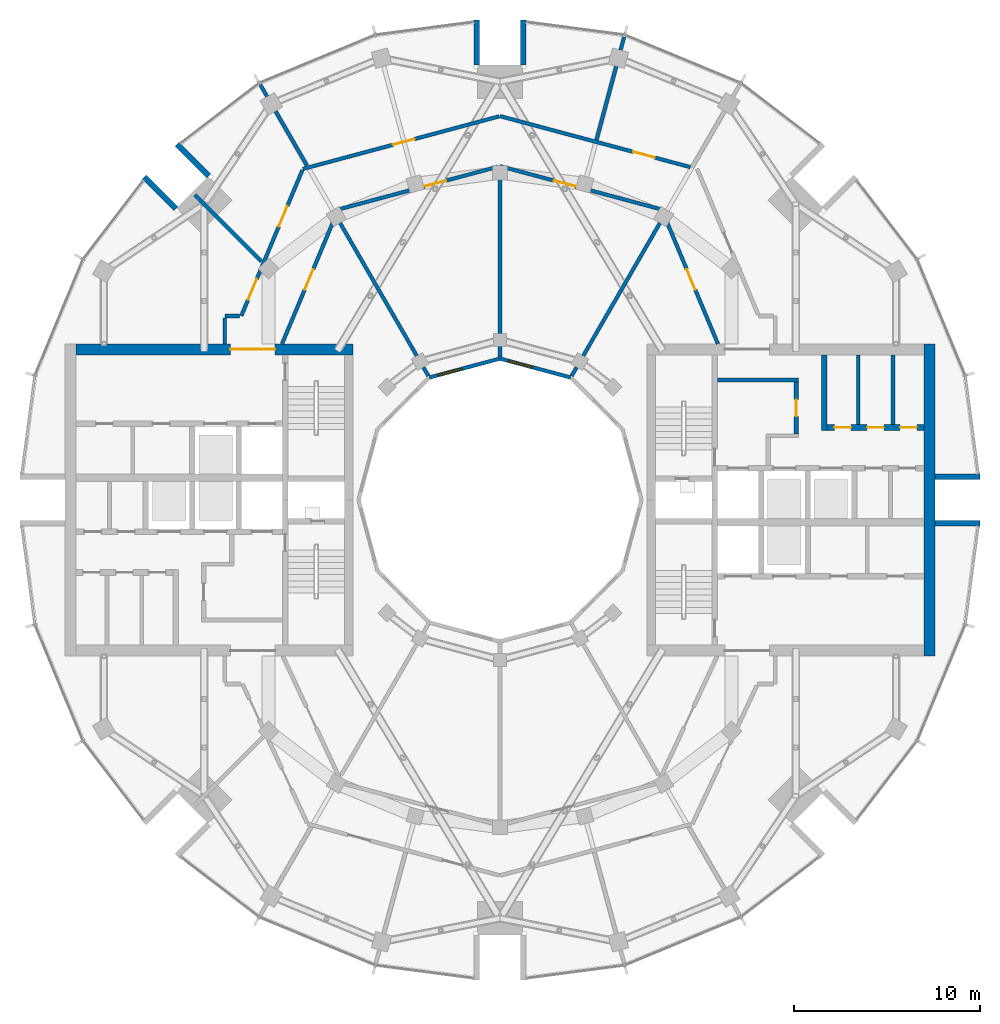
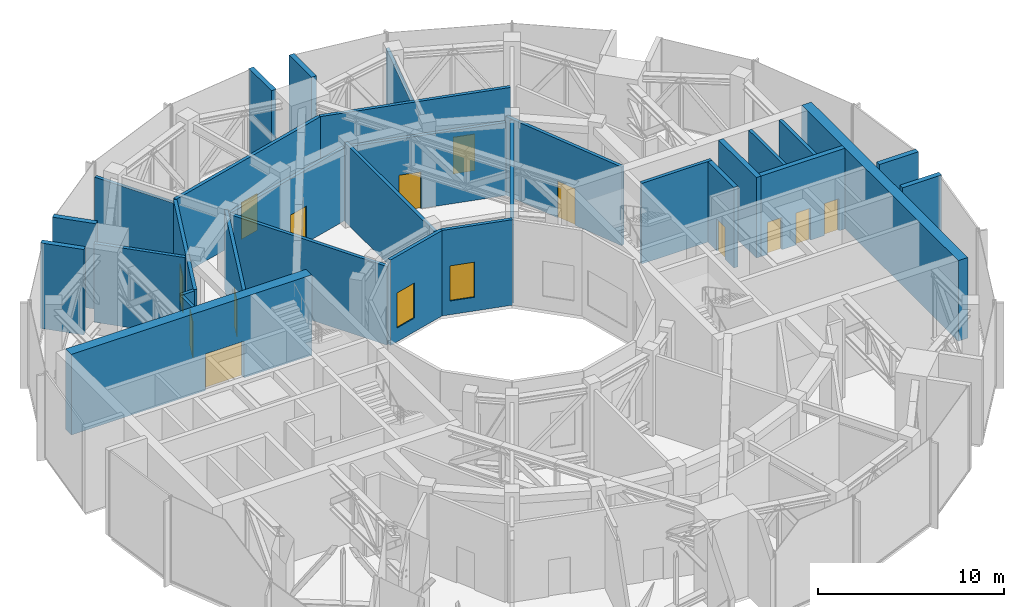
# One storey, part 15 of 18: 31 walls, 13 doors, 2 windows, 15 openings.
"""IFC4 building model written with IfcOpenShell, lengths in metres."""

from ifc_helpers import new_model, si_unit, direction, frame, frame_2d, origin, place, context, subcontext, project, spatial, rectangle, extrude, material, layer, layer_set, type_object, element, fill, save


model = new_model("IFC4")

# Units and contexts
model_context = context("Model", 3, precision=1e-05, world=origin(), true_north=direction((0.0, 1.0)))
body_context = subcontext(model_context, "Body", "Model", "MODEL_VIEW")
ifc_project = project(units=[si_unit("LENGTHUNIT", "METRE"), si_unit("AREAUNIT", "SQUARE_METRE"), si_unit("VOLUMEUNIT", "CUBIC_METRE"), si_unit("PLANEANGLEUNIT", "RADIAN"), si_unit("MASSUNIT", "GRAM", prefix="KILO")], contexts=[model_context])

# Site, building, storey
site_placement = place(None, origin())
site = spatial("IfcSite", under=ifc_project, at=site_placement, CompositionType="ELEMENT")
building_placement = place(site_placement, origin())
building = spatial("IfcBuilding", under=site, at=building_placement, Name="Torre Brocal", CompositionType="ELEMENT")
storey_placement = place(building_placement, frame((0.0, 0.0, 206.89990234375)))
storey = spatial("IfcBuildingStorey", under=building, at=storey_placement, Name="L48", CompositionType="ELEMENT", Elevation=206.89990234375)

# Walls
ifc_material_1 = material(Name="Masonry block", Category="masonry")
ifc_layer_1 = layer(ifc_material_1, 0.199951171875)
ifc_layer_set_1 = layer_set([ifc_layer_1], Name="Masonry block")
wall_type_1 = type_object("IfcWallType", Name="CORE PARTITION 200", PredefinedType="PARTITIONING", material=ifc_layer_set_1)
for number, where, z_axis, x_axis, name in (
    (1, (99.263916015625, 79.050048828125, 0.0), (0.0, 0.0, 1.0), (0.0, 1.0, 0.0), "Wall CP200"),
    (2, (101.135986328125, 79.050048828125, 0.0), (0.0, 0.0, 1.0), (0.0, 1.0, 0.0), "Wall CP200"),
):
    element("IfcWall", number, at=place(storey_placement, frame(where, z_axis=z_axis, x_axis=x_axis)), inside=storey, type_object=wall_type_1, Name=name, PredefinedType="PARTITIONING", context=body_context, shape_type="SweptSolid", body=[
        extrude(rectangle(XDim=3.75, YDim=0.199951171875, at=frame_2d((1.875, 0.0))), origin(), (0.0, 0.0, 1.0), 5.280029296875),
    ])
ifc_material_2 = material(Name="Concrete C60", Category="concrete")
ifc_layer_2 = layer(ifc_material_2, 0.199951171875)
ifc_layer_set_2 = layer_set([ifc_layer_2], Name="Concrete C60")
wall_type_2 = type_object("IfcWallType", Name="CORE WALL 200 C60", PredefinedType="SHEAR", material=ifc_layer_set_2)
wall_1_placement = place(storey_placement, frame((91.699951171875, 81.449951171875, 0.0), z_axis=(0.0, 0.0, 1.0), x_axis=(1.0, 0.0, 0.0)))
element("IfcWall", 3, at=wall_1_placement, inside=storey, type_object=wall_type_2, Name="Wall CW200-60", PredefinedType="SHEAR", context=body_context, shape_type="SweptSolid", body=[
    extrude(rectangle(XDim=4.35009765625, YDim=0.199951171875, at=frame_2d((2.175048828125, 0.0))), origin(), (0.0, 0.0, 1.0), 5.280029296875),
])

# Wall, opening, door
ifc_material_3 = material(Name="Concrete C60", Category="concrete")
ifc_layer_3 = layer(ifc_material_3, 0.25)
ifc_layer_set_3 = layer_set([ifc_layer_3], Name="Concrete C60")
wall_type_3 = type_object("IfcWallType", Name="CORE WALL 250 C60", PredefinedType="SHEAR", material=ifc_layer_set_3)
wall_2_placement = place(storey_placement, frame((95.925048828125, 78.550048828125, 0.0), z_axis=(0.0, 0.0, 1.0), x_axis=(0.0, 1.0, 0.0)))
wall_2 = element("IfcWall", 4, at=wall_2_placement, inside=storey, type_object=wall_type_3, Name="Wall CW250-60", PredefinedType="SHEAR", context=body_context, shape_type="SweptSolid", body=[
    extrude(rectangle(XDim=2.800048828125, YDim=0.25, at=frame_2d((1.39990234375, 0.0))), origin(), (0.0, 0.0, 1.0), 5.280029296875),
])
opening_1_placement = place(wall_2_placement, frame((0.949951171875, 0.0, 0.0)))
opening_1 = element("IfcOpeningElement", 5, at=opening_1_placement, cuts=wall_2, Name="Opening E-D08", PredefinedType="OPENING", context=body_context, shape_type="SweptSolid", body=[
    extrude(rectangle(XDim=0.89990234375, YDim=2.10009765625, at=frame_2d((0.449951171875, 1.050048828125))), frame((0.0, 0.135009765625, 0.0), z_axis=(0.0, -1.0, 0.0), x_axis=(1.0, 0.0, 0.0)), (0.0, 0.0, 1.0), 0.27001953125),
])
ifc_material_4 = material(Name="Steel A653", Category="steel")
door_type_1 = type_object("IfcDoorType", Name="LOBBY DOOR FD120 900X2100", OperationType="SINGLE_SWING_RIGHT", PredefinedType="DOOR", material=ifc_material_4)
door_1_placement = place(opening_1_placement, origin())
door_1 = element("IfcDoor", 6, at=door_1_placement, inside=storey, type_object=door_type_1, Name="Door E-D08", OperationType="SINGLE_SWING_LEFT", OverallHeight=2.10009765625, OverallWidth=0.89990234375, PredefinedType="DOOR", context=body_context, shape_type="SweptSolid", body=[
    extrude(rectangle(XDim=0.89990234375, YDim=2.10009765625, at=frame_2d((0.449951171875, 1.050048828125))), frame((0.0, 0.02490234375, 0.0), z_axis=(0.0, -1.0, 0.0), x_axis=(1.0, 0.0, 0.0)), (0.0, 0.0, 1.0), 0.050048828125),
])
fill(opening_1, door_1)

# Wall
ifc_material_5 = material(Name="Concrete C60", Category="concrete")
ifc_layer_4 = layer(ifc_material_5, 0.300048828125)
ifc_layer_set_4 = layer_set([ifc_layer_4], Name="Concrete C60")
wall_type_4 = type_object("IfcWallType", Name="CORE WALL 300 C60", PredefinedType="SHEAR", material=ifc_layer_set_4)
wall_3_placement = place(storey_placement, frame((97.449951171875, 78.75, 0.0), z_axis=(0.0, 0.0, 1.0), x_axis=(0.0, 1.0, 0.0)))
element("IfcWall", 7, at=wall_3_placement, inside=storey, type_object=wall_type_4, Name="Wall CW300-60", PredefinedType="SHEAR", context=body_context, shape_type="SweptSolid", body=[
    extrude(rectangle(XDim=4.050048828125, YDim=0.300048828125, at=frame_2d((2.02490234375, 0.0))), origin(), (0.0, 0.0, 1.0), 5.280029296875),
])

# Wall, openings, doors
wall_4_placement = place(storey_placement, frame((97.60009765625, 78.89990234375, 0.0), z_axis=(0.0, 0.0, 1.0), x_axis=(1.0, 0.0, 0.0)))
wall_4 = element("IfcWall", 8, at=wall_4_placement, inside=storey, type_object=wall_type_4, Name="Wall CW300-60", PredefinedType="SHEAR", context=body_context, shape_type="SweptSolid", body=[
    extrude(rectangle(XDim=5.199951171875, YDim=0.300048828125, at=frame_2d((2.60009765625, 0.0))), origin(), (0.0, 0.0, 1.0), 5.280029296875),
])
opening_2_placement = place(wall_4_placement, frame((0.382080078125, 0.0, 0.0)))
opening_2 = element("IfcOpeningElement", 9, at=opening_2_placement, cuts=wall_4, Name="Opening E-D09", PredefinedType="OPENING", context=body_context, shape_type="SweptSolid", body=[
    extrude(rectangle(XDim=0.89990234375, YDim=2.10009765625, at=frame_2d((0.449951171875, 1.050048828125))), frame((0.0, 0.159912109375, 0.0), z_axis=(0.0, -1.0, 0.0), x_axis=(1.0, 0.0, 0.0)), (0.0, 0.0, 1.0), 0.320068359375),
])
opening_3_placement = place(wall_4_placement, frame((2.14990234375, 0.0, 0.0)))
opening_3 = element("IfcOpeningElement", 10, at=opening_3_placement, cuts=wall_4, Name="Opening E-D10", PredefinedType="OPENING", context=body_context, shape_type="SweptSolid", body=[
    extrude(rectangle(XDim=0.89990234375, YDim=2.10009765625, at=frame_2d((0.449951171875, 1.050048828125))), frame((0.0, 0.159912109375, 0.0), z_axis=(0.0, -1.0, 0.0), x_axis=(1.0, 0.0, 0.0)), (0.0, 0.0, 1.0), 0.320068359375),
])
opening_4_placement = place(wall_4_placement, frame((3.91796875, 0.0, 0.0)))
opening_4 = element("IfcOpeningElement", 11, at=opening_4_placement, cuts=wall_4, Name="Opening E-D11", PredefinedType="OPENING", context=body_context, shape_type="SweptSolid", body=[
    extrude(rectangle(XDim=0.89990234375, YDim=2.10009765625, at=frame_2d((0.449951171875, 1.050048828125))), frame((0.0, 0.159912109375, 0.0), z_axis=(0.0, -1.0, 0.0), x_axis=(1.0, 0.0, 0.0)), (0.0, 0.0, 1.0), 0.320068359375),
])
ifc_material_6 = material(Name="Steel A653", Category="steel")
door_type_2 = type_object("IfcDoorType", Name="ROOM DOOR FD30S 900X2100", OperationType="SINGLE_SWING_LEFT", PredefinedType="DOOR", material=ifc_material_6)
door_2_placement = place(opening_2_placement, origin())
door_2 = element("IfcDoor", 12, at=door_2_placement, inside=storey, type_object=door_type_2, Name="Door E-D09", OperationType="SINGLE_SWING_RIGHT", OverallHeight=2.10009765625, OverallWidth=0.89990234375, PredefinedType="DOOR", context=body_context, shape_type="SweptSolid", body=[
    extrude(rectangle(XDim=0.89990234375, YDim=2.10009765625, at=frame_2d((0.449951171875, 1.050048828125))), frame((0.0, 0.02490234375, 0.0), z_axis=(0.0, -1.0, 0.0), x_axis=(1.0, 0.0, 0.0)), (0.0, 0.0, 1.0), 0.050048828125),
])
fill(opening_2, door_2)
door_3_placement = place(opening_3_placement, origin())
door_3 = element("IfcDoor", 13, at=door_3_placement, inside=storey, type_object=door_type_2, Name="Door E-D10", OperationType="SINGLE_SWING_LEFT", OverallHeight=2.10009765625, OverallWidth=0.89990234375, PredefinedType="DOOR", context=body_context, shape_type="SweptSolid", body=[
    extrude(rectangle(XDim=0.89990234375, YDim=2.10009765625, at=frame_2d((0.449951171875, 1.050048828125))), frame((0.0, 0.02490234375, 0.0), z_axis=(0.0, -1.0, 0.0), x_axis=(1.0, 0.0, 0.0)), (0.0, 0.0, 1.0), 0.050048828125),
])
fill(opening_3, door_3)
door_4_placement = place(opening_4_placement, origin())
door_4 = element("IfcDoor", 14, at=door_4_placement, inside=storey, type_object=door_type_2, Name="Door E-D11", OperationType="SINGLE_SWING_LEFT", OverallHeight=2.10009765625, OverallWidth=0.89990234375, PredefinedType="DOOR", context=body_context, shape_type="SweptSolid", body=[
    extrude(rectangle(XDim=0.89990234375, YDim=2.10009765625, at=frame_2d((0.449951171875, 1.050048828125))), frame((0.0, 0.02490234375, 0.0), z_axis=(0.0, -1.0, 0.0), x_axis=(1.0, 0.0, 0.0)), (0.0, 0.0, 1.0), 0.050048828125),
])
fill(opening_4, door_4)

# Wall
ifc_material_7 = material(Name="Concrete C60", Category="concrete")
ifc_layer_5 = layer(ifc_material_7, 0.60009765625)
ifc_layer_set_5 = layer_set([ifc_layer_5], Name="Concrete C60")
wall_type_5 = type_object("IfcWallType", Name="CORE WALL 600 C60", PredefinedType="SHEAR", material=ifc_layer_set_5)
wall_5_placement = place(storey_placement, frame((103.10009765625, 66.60009765625, 0.0), z_axis=(0.0, 0.0, 1.0), x_axis=(0.0, 1.0, 0.0)))
element("IfcWall", 15, at=wall_5_placement, inside=storey, type_object=wall_type_5, Name="Wall CW600-60", PredefinedType="SHEAR", context=body_context, shape_type="SweptSolid", body=[
    extrude(rectangle(XDim=16.7998046875, YDim=0.60009765625, at=frame_2d((8.39990234375, 0.0))), origin(), (0.0, 0.0, 1.0), 5.280029296875),
])

# Wall, opening, door
wall_6_placement = place(storey_placement, frame((72.10009765625, 83.10009765625, 0.0), z_axis=(0.0, 0.0, 1.0), x_axis=(-1.0, 0.0, 0.0)))
wall_6 = element("IfcWall", 16, at=wall_6_placement, inside=storey, type_object=wall_type_5, Name="Wall CW600-60", PredefinedType="SHEAR", context=body_context, shape_type="SweptSolid", body=[
    extrude(rectangle(XDim=14.900146484375, YDim=0.60009765625, at=frame_2d((7.4501953125, 0.0))), origin(), (0.0, 0.0, 1.0), 5.280029296875),
])
opening_5_placement = place(wall_6_placement, frame((4.199951171875, 0.0, 0.0)))
opening_5 = element("IfcOpeningElement", 17, at=opening_5_placement, cuts=wall_6, Name="Opening W-D13", PredefinedType="OPENING", context=body_context, shape_type="SweptSolid", body=[
    extrude(rectangle(XDim=2.39990234375, YDim=2.39990234375, at=frame_2d((1.199951171875, 1.199951171875))), frame((0.0, 0.31005859375, 0.0), z_axis=(0.0, -1.0, 0.0), x_axis=(1.0, 0.0, 0.0)), (0.0, 0.0, 1.0), 0.6201171875),
])
ifc_material_8 = material(Name="Steel A653", Category="steel")
door_type_3 = type_object("IfcDoorType", Name="DOUBLE FIRE DOOR FD90 2400X2400", OperationType="DOUBLE_DOOR_SINGLE_SWING", PredefinedType="DOOR", material=ifc_material_8)
door_5_placement = place(opening_5_placement, origin())
door_5 = element("IfcDoor", 18, at=door_5_placement, inside=storey, type_object=door_type_3, Name="Door W-D13", OperationType="DOUBLE_DOOR_SINGLE_SWING", OverallHeight=2.39990234375, OverallWidth=2.39990234375, PredefinedType="DOOR", context=body_context, shape_type="SweptSolid", body=[
    extrude(rectangle(XDim=2.39990234375, YDim=2.39990234375, at=frame_2d((1.199951171875, 1.199951171875))), frame((0.0, 0.02490234375, 0.0), z_axis=(0.0, -1.0, 0.0), x_axis=(1.0, 0.0, 0.0)), (0.0, 0.0, 1.0), 0.050048828125),
])
fill(opening_5, door_5)

# Walls
ifc_material_9 = material(Name="Concrete C60", Category="concrete")
ifc_layer_6 = layer(ifc_material_9, 0.300048828125)
ifc_layer_set_6 = layer_set([ifc_layer_6], Name="Concrete C60")
wall_type_6 = type_object("IfcWallType", Name="NOTCH RETURN WALL 300 C60", PredefinedType="NOTDEFINED", material=ifc_layer_set_6)
for number, where, z_axis, x_axis, name in (
    (19, (103.39990234375, 73.75, 0.0), (0.0, 0.0, 1.0), (1.0, 0.0, 0.0), "NOTCH RETURN WALL"),
    (20, (103.39990234375, 76.25, 0.0), (0.0, 0.0, 1.0), (1.0, 0.0, 0.0), "NOTCH RETURN WALL"),
    (21, (81.25, 98.39990234375, 0.0), (0.0, 0.0, 1.0), (0.0, 1.0, 0.0), "NOTCH RETURN WALL"),
    (22, (78.75, 98.39990234375, 0.0), (0.0, 0.0, 1.0), (0.0, 1.0, 0.0), "NOTCH RETURN WALL"),
    (23, (64.337646484375, 92.43017578125, 0.0), (0.0, 0.0, 1.0), (-0.707106781187, 0.707106781187, 0.0), "NOTCH RETURN WALL"),
    (24, (62.56982421875, 90.662353515625, 0.0), (0.0, 0.0, 1.0), (-0.707106781187, 0.707106781187, 0.0), "NOTCH RETURN WALL"),
):
    element("IfcWall", number, at=place(storey_placement, frame(where, z_axis=z_axis, x_axis=x_axis)), inside=storey, type_object=wall_type_6, Name=name, PredefinedType="NOTDEFINED", context=body_context, shape_type="SweptSolid", body=[
        extrude(rectangle(XDim=2.415771484375, YDim=0.300048828125, at=frame_2d((1.2080078125, 0.0))), origin(), (0.0, 0.0, 1.0), 5.60009765625),
    ])
ifc_material_10 = material(Name="Masonry block", Category="masonry")
ifc_layer_7 = layer(ifc_material_10, 0.199951171875)
ifc_layer_set_7 = layer_set([ifc_layer_7], Name="Masonry block")
wall_type_7 = type_object("IfcWallType", Name="PARTITION 200 EI120", PredefinedType="PARTITIONING", material=ifc_layer_set_7)
wall_7_placement = place(storey_placement, frame((63.595458984375, 91.405029296875, 0.0), z_axis=(0.0, 0.0, 1.0), x_axis=(0.707010247839, -0.707203301357, 0.0)))
element("IfcWall", 25, at=wall_7_placement, inside=storey, type_object=wall_type_7, Name="PLANT ROOM WALL", PredefinedType="PARTITIONING", context=body_context, shape_type="SweptSolid", body=[
    extrude(rectangle(XDim=5.05859375, YDim=0.199951171875, at=frame_2d((2.529296875, 0.0))), origin(), (0.0, 0.0, 1.0), 5.150146484375),
])
wall_8_placement = place(storey_placement, frame((65.199951171875, 83.40087890625, 0.0), z_axis=(0.0, 0.0, 1.0), x_axis=(0.0, 1.0, 0.0)))
element("IfcWall", 26, at=wall_8_placement, inside=storey, type_object=wall_type_7, Name="PLANT ROOM WALL", PredefinedType="PARTITIONING", context=body_context, shape_type="SweptSolid", body=[
    extrude(rectangle(XDim=1.399169921875, YDim=0.199951171875, at=frame_2d((0.69970703125, 0.0))), origin(), (0.0, 0.0, 1.0), 5.150146484375),
])
wall_9_placement = place(storey_placement, frame((65.199951171875, 84.89990234375, 0.0), z_axis=(0.0, 0.0, 1.0), x_axis=(1.0, 0.0, 0.0)))
element("IfcWall", 27, at=wall_9_placement, inside=storey, type_object=wall_type_7, Name="PLANT ROOM WALL", PredefinedType="PARTITIONING", context=body_context, shape_type="SweptSolid", body=[
    extrude(rectangle(XDim=0.795166015625, YDim=0.199951171875, at=frame_2d((0.3974609375, 0.0))), origin(), (0.0, 0.0, 1.0), 5.150146484375),
])

# Wall, openings, doors
wall_10_placement = place(storey_placement, frame((66.085693359375, 84.900146484375, 0.0), z_axis=(0.0, 0.0, 1.0), x_axis=(0.386558053719, 0.922265076377, 0.0)))
wall_10 = element("IfcWall", 28, at=wall_10_placement, inside=storey, type_object=wall_type_7, Name="PLANT ROOM WALL", PredefinedType="PARTITIONING", context=body_context, shape_type="SweptSolid", body=[
    extrude(rectangle(XDim=8.50048828125, YDim=0.199951171875, at=frame_2d((4.250244140625, 0.0))), origin(), (0.0, 0.0, 1.0), 5.150146484375),
])
opening_6_placement = place(wall_10_placement, frame((5.208984375, 0.0, 0.0)))
opening_6 = element("IfcOpeningElement", 29, at=opening_6_placement, cuts=wall_10, Name="Opening X2-D04", PredefinedType="OPENING", context=body_context, shape_type="SweptSolid", body=[
    extrude(rectangle(XDim=1.199951171875, YDim=2.39990234375, at=frame_2d((0.60009765625, 1.199951171875))), frame((0.0, 0.10986328125, 0.0), z_axis=(0.0, -1.0, 0.0), x_axis=(1.0, 0.0, 0.0)), (0.0, 0.0, 1.0), 0.219970703125),
])
opening_7_placement = place(wall_10_placement, frame((0.94384765625, 0.0, 0.0)))
opening_7 = element("IfcOpeningElement", 30, at=opening_7_placement, cuts=wall_10, Name="Opening X2-D05", PredefinedType="OPENING", context=body_context, shape_type="SweptSolid", body=[
    extrude(rectangle(XDim=1.199951171875, YDim=2.39990234375, at=frame_2d((0.60009765625, 1.199951171875))), frame((0.0, 0.10986328125, 0.0), z_axis=(0.0, -1.0, 0.0), x_axis=(1.0, 0.0, 0.0)), (0.0, 0.0, 1.0), 0.219970703125),
])
ifc_material_11 = material(Name="Steel A653", Category="steel")
door_type_4 = type_object("IfcDoorType", Name="PLANT DOOR FD90 1200X2400", OperationType="SINGLE_SWING_RIGHT", PredefinedType="DOOR", material=ifc_material_11)
door_6_placement = place(opening_6_placement, origin())
door_6 = element("IfcDoor", 31, at=door_6_placement, inside=storey, type_object=door_type_4, Name="X2-D04", OperationType="SINGLE_SWING_LEFT", OverallHeight=2.39990234375, OverallWidth=1.199951171875, PredefinedType="DOOR", context=body_context, shape_type="SweptSolid", body=[
    extrude(rectangle(XDim=1.199951171875, YDim=2.39990234375, at=frame_2d((0.60009765625, 1.199951171875))), frame((0.0, 0.02490234375, 0.0), z_axis=(0.0, -1.0, 0.0), x_axis=(1.0, 0.0, 0.0)), (0.0, 0.0, 1.0), 0.050048828125),
])
fill(opening_6, door_6)
door_7_placement = place(opening_7_placement, origin())
door_7 = element("IfcDoor", 32, at=door_7_placement, inside=storey, type_object=door_type_4, Name="X2-D05", OperationType="SINGLE_SWING_RIGHT", OverallHeight=2.39990234375, OverallWidth=1.199951171875, PredefinedType="DOOR", context=body_context, shape_type="SweptSolid", body=[
    extrude(rectangle(XDim=1.199951171875, YDim=2.39990234375, at=frame_2d((0.60009765625, 1.199951171875))), frame((0.0, 0.02490234375, 0.0), z_axis=(0.0, -1.0, 0.0), x_axis=(1.0, 0.0, 0.0)), (0.0, 0.0, 1.0), 0.050048828125),
])
fill(opening_7, door_7)

# Wall, opening, door
wall_11_placement = place(storey_placement, frame((68.277099609375, 83.39990234375, 0.0), z_axis=(0.0, 0.0, 1.0), x_axis=(0.386363382968, 0.922346646495, 0.0)))
wall_11 = element("IfcWall", 33, at=wall_11_placement, inside=storey, type_object=wall_type_7, Name="PLANT ROOM WALL", PredefinedType="PARTITIONING", context=body_context, shape_type="SweptSolid", body=[
    extrude(rectangle(XDim=7.76220703125, YDim=0.199951171875, at=frame_2d((3.881103515625, 0.0))), origin(), (0.0, 0.0, 1.0), 5.150146484375),
])
opening_8_placement = place(wall_11_placement, frame((3.150146484375, 0.0, 0.0)))
opening_8 = element("IfcOpeningElement", 34, at=opening_8_placement, cuts=wall_11, Name="Opening X2-D09", PredefinedType="OPENING", context=body_context, shape_type="SweptSolid", body=[
    extrude(rectangle(XDim=1.199951171875, YDim=2.39990234375, at=frame_2d((0.60009765625, 1.199951171875))), frame((0.0, 0.10986328125, 0.0), z_axis=(0.0, -1.0, 0.0), x_axis=(1.0, 0.0, 0.0)), (0.0, 0.0, 1.0), 0.219970703125),
])
door_8_placement = place(opening_8_placement, frame((1.199951171875, 0.0, 0.0), z_axis=(0.0, 0.0, 1.0), x_axis=(-1.0, 0.0, 0.0)))
door_8 = element("IfcDoor", 35, at=door_8_placement, inside=storey, type_object=door_type_4, Name="X2-D09", OperationType="SINGLE_SWING_LEFT", OverallHeight=2.39990234375, OverallWidth=1.199951171875, PredefinedType="DOOR", context=body_context, shape_type="SweptSolid", body=[
    extrude(rectangle(XDim=1.199951171875, YDim=2.39990234375, at=frame_2d((0.60009765625, 1.199951171875))), frame((0.0, 0.02490234375, 0.0), z_axis=(0.0, -1.0, 0.0), x_axis=(1.0, 0.0, 0.0)), (0.0, 0.0, 1.0), 0.050048828125),
])
fill(opening_8, door_8)

wall_12_placement = place(storey_placement, frame((69.39697265625, 92.80517578125, 0.0), z_axis=(0.0, 0.0, 1.0), x_axis=(0.965949547217, 0.258730501163, 0.0)))
wall_12 = element("IfcWall", 36, at=wall_12_placement, inside=storey, type_object=wall_type_7, Name="PLANT ROOM WALL", PredefinedType="PARTITIONING", context=body_context, shape_type="SweptSolid", body=[
    extrude(rectangle(XDim=10.927001953125, YDim=0.199951171875, at=frame_2d((5.46337890625, 0.0))), origin(), (0.0, 0.0, 1.0), 5.150146484375),
])
opening_9_placement = place(wall_12_placement, frame((5.023193359375, 0.0, 0.0)))
opening_9 = element("IfcOpeningElement", 37, at=opening_9_placement, cuts=wall_12, Name="Opening X2-D03", PredefinedType="OPENING", context=body_context, shape_type="SweptSolid", body=[
    extrude(rectangle(XDim=1.199951171875, YDim=2.39990234375, at=frame_2d((0.60009765625, 1.199951171875))), frame((0.0, 0.10986328125, 0.0), z_axis=(0.0, -1.0, 0.0), x_axis=(1.0, 0.0, 0.0)), (0.0, 0.0, 1.0), 0.219970703125),
])
door_9_placement = place(opening_9_placement, origin())
door_9 = element("IfcDoor", 38, at=door_9_placement, inside=storey, type_object=door_type_4, Name="X2-D03", OperationType="SINGLE_SWING_LEFT", OverallHeight=2.39990234375, OverallWidth=1.199951171875, PredefinedType="DOOR", context=body_context, shape_type="SweptSolid", body=[
    extrude(rectangle(XDim=1.199951171875, YDim=2.39990234375, at=frame_2d((0.60009765625, 1.199951171875))), frame((0.0, 0.02490234375, 0.0), z_axis=(0.0, -1.0, 0.0), x_axis=(1.0, 0.0, 0.0)), (0.0, 0.0, 1.0), 0.050048828125),
])
fill(opening_9, door_9)

# Walls
wall_13_placement = place(storey_placement, frame((71.263671875, 90.135498046875, 0.0), z_axis=(0.0, 0.0, 1.0), x_axis=(0.499888168256, -0.866089960245, 0.0)))
element("IfcWall", 39, at=wall_13_placement, inside=storey, type_object=wall_type_7, Name="PLANT ROOM WALL", PredefinedType="PARTITIONING", context=body_context, shape_type="SweptSolid", body=[
    extrude(rectangle(XDim=9.777587890625, YDim=0.199951171875, at=frame_2d((4.888671875, 0.0))), origin(), (0.0, 0.0, 1.0), 5.150146484375),
])
wall_14_placement = place(storey_placement, frame((80.0, 82.698974609375, 0.0), z_axis=(0.0, 0.0, 1.0), x_axis=(0.0, 1.0, 0.0)))
element("IfcWall", 40, at=wall_14_placement, inside=storey, type_object=wall_type_7, Name="PLANT ROOM WALL", PredefinedType="PARTITIONING", context=body_context, shape_type="SweptSolid", body=[
    extrude(rectangle(XDim=10.125, YDim=0.199951171875, at=frame_2d((5.0625, 0.0))), origin(), (0.0, 0.0, 1.0), 5.150146484375),
])

# Wall, opening, door
wall_15_placement = place(storey_placement, frame((80.0, 95.64599609375, 0.0), z_axis=(0.0, 0.0, 1.0), x_axis=(0.965926044247, -0.258818231672, 0.0)))
wall_15 = element("IfcWall", 41, at=wall_15_placement, inside=storey, type_object=wall_type_7, Name="PLANT ROOM WALL", PredefinedType="PARTITIONING", context=body_context, shape_type="SweptSolid", body=[
    extrude(rectangle(XDim=10.596923828125, YDim=0.199951171875, at=frame_2d((5.29833984375, 0.0))), origin(), (0.0, 0.0, 1.0), 5.150146484375),
])
opening_10_placement = place(wall_15_placement, frame((7.416015625, 0.0, 0.0)))
opening_10 = element("IfcOpeningElement", 42, at=opening_10_placement, cuts=wall_15, Name="Opening X2-D02", PredefinedType="OPENING", context=body_context, shape_type="SweptSolid", body=[
    extrude(rectangle(XDim=1.199951171875, YDim=2.39990234375, at=frame_2d((0.60009765625, 1.199951171875))), frame((0.0, 0.10986328125, 0.0), z_axis=(0.0, -1.0, 0.0), x_axis=(1.0, 0.0, 0.0)), (0.0, 0.0, 1.0), 0.219970703125),
])
door_10_placement = place(opening_10_placement, origin())
door_10 = element("IfcDoor", 43, at=door_10_placement, inside=storey, type_object=door_type_4, Name="X2-D02", OperationType="SINGLE_SWING_LEFT", OverallHeight=2.39990234375, OverallWidth=1.199951171875, PredefinedType="DOOR", context=body_context, shape_type="SweptSolid", body=[
    extrude(rectangle(XDim=1.199951171875, YDim=2.39990234375, at=frame_2d((0.60009765625, 1.199951171875))), frame((0.0, 0.02490234375, 0.0), z_axis=(0.0, -1.0, 0.0), x_axis=(1.0, 0.0, 0.0)), (0.0, 0.0, 1.0), 0.050048828125),
])
fill(opening_10, door_10)

# Wall
wall_16_placement = place(storey_placement, frame((83.84912109375, 81.6669921875, 0.0), z_axis=(0.0, 0.0, 1.0), x_axis=(0.500043783105, 0.866000124121, 0.0)))
element("IfcWall", 44, at=wall_16_placement, inside=storey, type_object=wall_type_7, Name="PLANT ROOM WALL", PredefinedType="PARTITIONING", context=body_context, shape_type="SweptSolid", body=[
    extrude(rectangle(XDim=9.77734375, YDim=0.199951171875, at=frame_2d((4.888671875, 0.0))), origin(), (0.0, 0.0, 1.0), 5.150146484375),
])

# Wall, opening, door
wall_17_placement = place(storey_placement, frame((88.697021484375, 90.6240234375, 0.0), z_axis=(0.0, 0.0, 1.0), x_axis=(0.386027055918, -0.922487459047, 0.0)))
wall_17 = element("IfcWall", 45, at=wall_17_placement, inside=storey, type_object=wall_type_7, Name="PLANT ROOM WALL", PredefinedType="PARTITIONING", context=body_context, shape_type="SweptSolid", body=[
    extrude(rectangle(XDim=7.832275390625, YDim=0.199951171875, at=frame_2d((3.916015625, 0.0))), origin(), (0.0, 0.0, 1.0), 5.150146484375),
])
opening_11_placement = place(wall_17_placement, frame((3.48193359375, 0.0, 0.0)))
opening_11 = element("IfcOpeningElement", 46, at=opening_11_placement, cuts=wall_17, Name="Opening X2-D06", PredefinedType="OPENING", context=body_context, shape_type="SweptSolid", body=[
    extrude(rectangle(XDim=1.199951171875, YDim=2.39990234375, at=frame_2d((0.60009765625, 1.199951171875))), frame((0.0, 0.10986328125, 0.0), z_axis=(0.0, -1.0, 0.0), x_axis=(1.0, 0.0, 0.0)), (0.0, 0.0, 1.0), 0.219970703125),
])
door_11_placement = place(opening_11_placement, frame((1.199951171875, 0.0, 0.0), z_axis=(0.0, 0.0, 1.0), x_axis=(-1.0, 0.0, 0.0)))
door_11 = element("IfcDoor", 47, at=door_11_placement, inside=storey, type_object=door_type_4, Name="X2-D06", OperationType="SINGLE_SWING_RIGHT", OverallHeight=2.39990234375, OverallWidth=1.199951171875, PredefinedType="DOOR", context=body_context, shape_type="SweptSolid", body=[
    extrude(rectangle(XDim=1.199951171875, YDim=2.39990234375, at=frame_2d((0.60009765625, 1.199951171875))), frame((0.0, 0.02490234375, 0.0), z_axis=(0.0, -1.0, 0.0), x_axis=(1.0, 0.0, 0.0)), (0.0, 0.0, 1.0), 0.050048828125),
])
fill(opening_11, door_11)

ifc_material_12 = material(Name="Masonry block", Category="masonry")
ifc_layer_8 = layer(ifc_material_12, 0.199951171875)
ifc_layer_set_8 = layer_set([ifc_layer_8], Name="Masonry block")
wall_type_8 = type_object("IfcWallType", Name="PARTITION 200 EI120 UNDER BEAM 820", PredefinedType="PARTITIONING", material=ifc_layer_set_8)
wall_18_placement = place(storey_placement, frame((71.302978515625, 90.6240234375, 0.0), z_axis=(0.0, 0.0, 1.0), x_axis=(0.965935648904, 0.258782383822, 0.0)))
wall_18 = element("IfcWall", 48, at=wall_18_placement, inside=storey, type_object=wall_type_8, Name="PLANT ROOM WALL", PredefinedType="PARTITIONING", context=body_context, shape_type="SweptSolid", body=[
    extrude(rectangle(XDim=8.873779296875, YDim=0.199951171875, at=frame_2d((4.43701171875, 0.0))), origin(), (0.0, 0.0, 1.0), 4.780029296875),
])
opening_12_placement = place(wall_18_placement, frame((4.802001953125, 0.0, 0.0)))
opening_12 = element("IfcOpeningElement", 49, at=opening_12_placement, cuts=wall_18, Name="Opening X2-D08", PredefinedType="OPENING", context=body_context, shape_type="SweptSolid", body=[
    extrude(rectangle(XDim=1.199951171875, YDim=2.39990234375, at=frame_2d((0.60009765625, 1.199951171875))), frame((0.0, 0.10986328125, 0.0), z_axis=(0.0, -1.0, 0.0), x_axis=(1.0, 0.0, 0.0)), (0.0, 0.0, 1.0), 0.219970703125),
])
door_12_placement = place(opening_12_placement, frame((1.199951171875, 0.0, 0.0), z_axis=(0.0, 0.0, 1.0), x_axis=(-1.0, 0.0, 0.0)))
door_12 = element("IfcDoor", 50, at=door_12_placement, inside=storey, type_object=door_type_4, Name="X2-D08", OperationType="SINGLE_SWING_LEFT", OverallHeight=2.39990234375, OverallWidth=1.199951171875, PredefinedType="DOOR", context=body_context, shape_type="SweptSolid", body=[
    extrude(rectangle(XDim=1.199951171875, YDim=2.39990234375, at=frame_2d((0.60009765625, 1.199951171875))), frame((0.0, 0.02490234375, 0.0), z_axis=(0.0, -1.0, 0.0), x_axis=(1.0, 0.0, 0.0)), (0.0, 0.0, 1.0), 0.050048828125),
])
fill(opening_12, door_12)

wall_19_placement = place(storey_placement, frame((80.0, 92.9541015625, 0.0), z_axis=(0.0, 0.0, 1.0), x_axis=(0.965932194462, -0.258795277586, 0.0)))
wall_19 = element("IfcWall", 51, at=wall_19_placement, inside=storey, type_object=wall_type_8, Name="PLANT ROOM WALL", PredefinedType="PARTITIONING", context=body_context, shape_type="SweptSolid", body=[
    extrude(rectangle(XDim=8.933837890625, YDim=0.199951171875, at=frame_2d((4.466796875, 0.0))), origin(), (0.0, 0.0, 1.0), 4.780029296875),
])
opening_13_placement = place(wall_19_placement, frame((3.001953125, 0.0, 0.0)))
opening_13 = element("IfcOpeningElement", 52, at=opening_13_placement, cuts=wall_19, Name="Opening X2-D07", PredefinedType="OPENING", context=body_context, shape_type="SweptSolid", body=[
    extrude(rectangle(XDim=1.199951171875, YDim=2.39990234375, at=frame_2d((0.60009765625, 1.199951171875))), frame((0.0, 0.10986328125, 0.0), z_axis=(0.0, -1.0, 0.0), x_axis=(1.0, 0.0, 0.0)), (0.0, 0.0, 1.0), 0.219970703125),
])
door_13_placement = place(opening_13_placement, frame((1.199951171875, 0.0, 0.0), z_axis=(0.0, 0.0, 1.0), x_axis=(-1.0, 0.0, 0.0)))
door_13 = element("IfcDoor", 53, at=door_13_placement, inside=storey, type_object=door_type_4, Name="X2-D07", OperationType="SINGLE_SWING_RIGHT", OverallHeight=2.39990234375, OverallWidth=1.199951171875, PredefinedType="DOOR", context=body_context, shape_type="SweptSolid", body=[
    extrude(rectangle(XDim=1.199951171875, YDim=2.39990234375, at=frame_2d((0.60009765625, 1.199951171875))), frame((0.0, 0.02490234375, 0.0), z_axis=(0.0, -1.0, 0.0), x_axis=(1.0, 0.0, 0.0)), (0.0, 0.0, 1.0), 0.050048828125),
])
fill(opening_13, door_13)

# Walls
ifc_material_13 = material(Name="Masonry block", Category="masonry")
ifc_layer_9 = layer(ifc_material_13, 0.199951171875)
ifc_layer_set_9 = layer_set([ifc_layer_9], Name="Masonry block")
wall_type_9 = type_object("IfcWallType", Name="PARTITION 200 EI120 UNDER BEAM 933", PredefinedType="PARTITIONING", material=ifc_layer_set_9)
wall_20_placement = place(storey_placement, frame((67.103515625, 97.3427734375, 0.0), z_axis=(0.0, 0.0, 1.0), x_axis=(0.499904868165, -0.866080321209, 0.0)))
element("IfcWall", 54, at=wall_20_placement, inside=storey, type_object=wall_type_9, Name="PLANT ROOM WALL", PredefinedType="PARTITIONING", context=body_context, shape_type="SweptSolid", body=[
    extrude(rectangle(XDim=5.0205078125, YDim=0.199951171875, at=frame_2d((2.51025390625, 0.0))), origin(), (0.0, 0.0, 1.0), 4.6669921875),
])
wall_21_placement = place(storey_placement, frame((85.188720703125, 94.359375, 0.0), z_axis=(0.0, 0.0, 1.0), x_axis=(0.258871799368, 0.965911689282, 0.0)))
element("IfcWall", 55, at=wall_21_placement, inside=storey, type_object=wall_type_9, Name="PLANT ROOM WALL", PredefinedType="PARTITIONING", context=body_context, shape_type="SweptSolid", body=[
    extrude(rectangle(XDim=5.7548828125, YDim=0.199951171875, at=frame_2d((2.87744140625, 0.0))), origin(), (0.0, 0.0, 1.0), 4.6669921875),
])

# Wall, opening, window
ifc_material_14 = material(Name="Concrete C40", Category="concrete")
ifc_layer_10 = layer(ifc_material_14, 0.199951171875)
ifc_layer_set_10 = layer_set([ifc_layer_10], Name="Concrete C40")
wall_type_10 = type_object("IfcWallType", Name="WELL FACADE WALL 200", PredefinedType="NOTDEFINED", material=ifc_layer_set_10)
wall_22_placement = place(storey_placement, frame((83.8017578125, 81.5849609375, 0.0), z_axis=(0.0, 0.0, 1.0), x_axis=(-0.965933654434, 0.258789828301, 0.0)))
wall_22 = element("IfcWall", 56, at=wall_22_placement, inside=storey, type_object=wall_type_10, Name="WELL FACADE WALL", PredefinedType="NOTDEFINED", context=body_context, shape_type="SweptSolid", body=[
    extrude(rectangle(XDim=3.935791015625, YDim=0.199951171875, at=frame_2d((1.9677734375, 0.0))), origin(), (0.0, 0.0, 1.0), 5.60009765625),
])
opening_14_placement = place(wall_22_placement, frame((2.117919921875, 0.0, 0.89990234375)))
opening_14 = element("IfcOpeningElement", 57, at=opening_14_placement, cuts=wall_22, Name="Opening W11", PredefinedType="OPENING", context=body_context, shape_type="SweptSolid", body=[
    extrude(rectangle(XDim=1.35009765625, YDim=2.300048828125, at=frame_2d((0.675048828125, 1.14990234375))), frame((0.0, 0.10986328125, 0.0), z_axis=(0.0, -1.0, 0.0), x_axis=(1.0, 0.0, 0.0)), (0.0, 0.0, 1.0), 0.219970703125),
])
ifc_material_15 = material(Name="Aluminium and glass", Category="aluminium")
window_type = type_object("IfcWindowType", Name="WELL WINDOW 1350X2300 BELT", PartitioningType="SINGLE_PANEL", PredefinedType="WINDOW", material=ifc_material_15)
window_1_placement = place(opening_14_placement, origin())
window_1 = element("IfcWindow", 58, at=window_1_placement, inside=storey, type_object=window_type, Name="WELL WINDOW 1350X2300 BELT", OverallHeight=2.300048828125, OverallWidth=1.35009765625, PartitioningType="SINGLE_PANEL", PredefinedType="WINDOW", context=body_context, shape_type="SweptSolid", body=[
    extrude(rectangle(XDim=1.35009765625, YDim=2.300048828125, at=frame_2d((0.675048828125, 1.14990234375))), frame((0.0, 0.030029296875, 0.0), z_axis=(0.0, -1.0, 0.0), x_axis=(1.0, 0.0, 0.0)), (0.0, 0.0, 1.0), 0.06005859375),
])
fill(opening_14, window_1)

wall_23_placement = place(storey_placement, frame((80.0, 82.603515625, 0.0), z_axis=(0.0, 0.0, 1.0), x_axis=(-0.965933654434, -0.258789828301, 0.0)))
wall_23 = element("IfcWall", 59, at=wall_23_placement, inside=storey, type_object=wall_type_10, Name="WELL FACADE WALL", PredefinedType="NOTDEFINED", context=body_context, shape_type="SweptSolid", body=[
    extrude(rectangle(XDim=3.935791015625, YDim=0.199951171875, at=frame_2d((1.9677734375, 0.0))), origin(), (0.0, 0.0, 1.0), 5.60009765625),
])
opening_15_placement = place(wall_23_placement, frame((2.117919921875, 0.0, 0.89990234375)))
opening_15 = element("IfcOpeningElement", 60, at=opening_15_placement, cuts=wall_23, Name="Opening W11", PredefinedType="OPENING", context=body_context, shape_type="SweptSolid", body=[
    extrude(rectangle(XDim=1.35009765625, YDim=2.300048828125, at=frame_2d((0.675048828125, 1.14990234375))), frame((0.0, 0.10986328125, 0.0), z_axis=(0.0, -1.0, 0.0), x_axis=(1.0, 0.0, 0.0)), (0.0, 0.0, 1.0), 0.219970703125),
])
window_2_placement = place(opening_15_placement, origin())
window_2 = element("IfcWindow", 61, at=window_2_placement, inside=storey, type_object=window_type, Name="WELL WINDOW 1350X2300 BELT", OverallHeight=2.300048828125, OverallWidth=1.35009765625, PartitioningType="SINGLE_PANEL", PredefinedType="WINDOW", context=body_context, shape_type="SweptSolid", body=[
    extrude(rectangle(XDim=1.35009765625, YDim=2.300048828125, at=frame_2d((0.675048828125, 1.14990234375))), frame((0.0, 0.030029296875, 0.0), z_axis=(0.0, -1.0, 0.0), x_axis=(1.0, 0.0, 0.0)), (0.0, 0.0, 1.0), 0.06005859375),
])
fill(opening_15, window_2)

save(model, "model.ifc")
